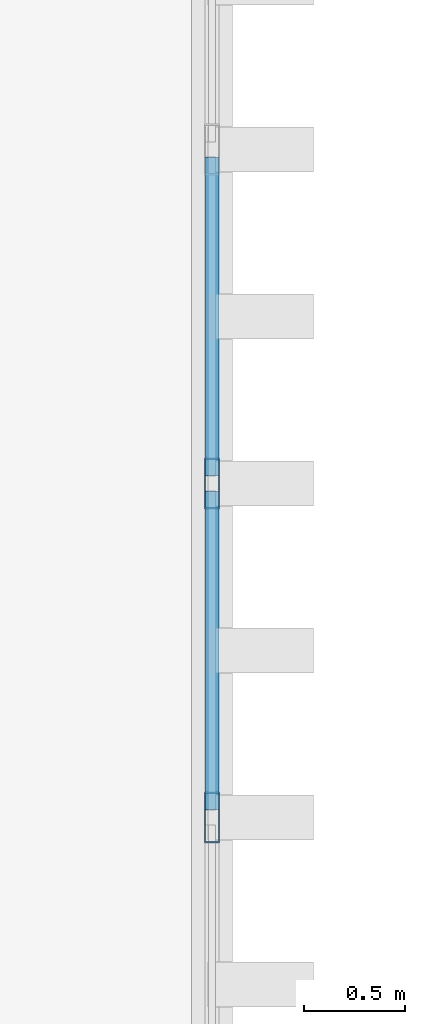
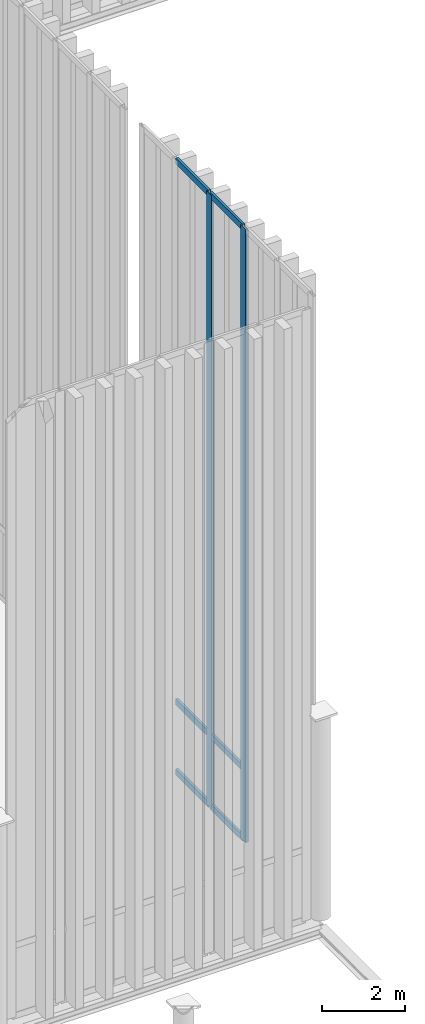
# One storey, part 49 of 237: 8 members, 1 element without a shape of its own.
"""IFC4 building model written with IfcOpenShell, lengths in metres."""

from ifc_helpers import new_model, si_unit, direction, frame, origin, origin_2d, place, context, subcontext, project, spatial, hollow_rectangle, extrude, material, layer, layer_set, material_profile, profile_set, type_object, element, aggregate, save


model = new_model("IFC4")

# Units and contexts
model_context = context("Model", 3, precision=1e-05, world=origin(), true_north=direction((0.0, 1.0)))
body_context = subcontext(model_context, "Body", "Model", "MODEL_VIEW")
ifc_project = project(units=[si_unit("LENGTHUNIT", "METRE"), si_unit("AREAUNIT", "SQUARE_METRE"), si_unit("VOLUMEUNIT", "CUBIC_METRE"), si_unit("PLANEANGLEUNIT", "RADIAN"), si_unit("MASSUNIT", "GRAM", prefix="KILO")], contexts=[model_context])

# Site, building, storey
site_placement = place(None, origin())
site = spatial("IfcSite", under=ifc_project, at=site_placement, CompositionType="ELEMENT")
building_placement = place(site_placement, origin())
building = spatial("IfcBuilding", under=site, at=building_placement, Name="Barlavento Convention Centre", CompositionType="ELEMENT")
storey_placement = place(building_placement, frame((0.0, 0.0, 12.0)))
storey = spatial("IfcBuildingStorey", under=building, at=storey_placement, Name="L02", CompositionType="ELEMENT", Elevation=12.0)

# Curtain wall, members
ifc_material_1 = material(Name="Powder-coated aluminium and Low-E glass", Category="aluminium")
ifc_layer = layer(ifc_material_1, 0.18994140625)
ifc_layer_set = layer_set([ifc_layer], Name="ARC-CW-CONG-L02")
curtain_wall_type = type_object("IfcCurtainWallType", Name="ARC-CW-CONG-L02", PredefinedType="NOTDEFINED", material=ifc_layer_set)
curtain_wall_placement = place(storey_placement, origin())
curtain_wall = element("IfcCurtainWall", 1, at=curtain_wall_placement, inside=storey, type_object=curtain_wall_type, Name="L02 unitised curtain wall CW02", PredefinedType="NOTDEFINED")
ifc_material_2 = material(Name="Powder-coated aluminium", Category="aluminium")
ifc_material_profile_1 = material_profile(ifc_material_2, hollow_rectangle(XDim=0.074951171875, YDim=0.25, WallThickness=0.006103515625, at=origin_2d()), Name="AL-MULL 75x250x6")
ifc_profile_set_1 = profile_set([ifc_material_profile_1], Name="Powder-coated aluminium")
member_type_1 = type_object("IfcMemberType", Name="ARC-CWM-75X250", PredefinedType="MULLION", material=ifc_profile_set_1)
member_1_placement = place(storey_placement, frame((63.0, 12.6494140625, 0.0), z_axis=(0.0, 0.0, 1.0), x_axis=(-1.0, 0.0, 0.0)))
member_1 = element("IfcMember", 2, at=member_1_placement, type_object=member_type_1, Name="CW02 mullion 3", PredefinedType="MULLION", context=body_context, shape_type="SweptSolid", body=[
    extrude(hollow_rectangle(XDim=0.074951171875, YDim=0.25, WallThickness=0.006103515625, at=origin_2d()), origin(), (0.0, 0.0, 1.0), 18.037109375),
])
member_2_placement = place(storey_placement, frame((63.0, 14.294677734375, 0.0), z_axis=(0.0, 0.0, 1.0), x_axis=(-1.0, 0.0, 0.0)))
member_2 = element("IfcMember", 3, at=member_2_placement, type_object=member_type_1, Name="CW02 mullion 4", PredefinedType="MULLION", context=body_context, shape_type="SweptSolid", body=[
    extrude(hollow_rectangle(XDim=0.074951171875, YDim=0.25, WallThickness=0.006103515625, at=origin_2d()), origin(), (0.0, 0.0, 1.0), 18.037109375),
])
ifc_material_profile_2 = material_profile(ifc_material_2, hollow_rectangle(XDim=0.070068359375, YDim=0.179931640625, WallThickness=0.0048828125, at=origin_2d()), Name="AL-TRAN 70x180x5")
ifc_profile_set_2 = profile_set([ifc_material_profile_2], Name="Powder-coated aluminium")
member_type_2 = type_object("IfcMemberType", Name="ARC-CWT-70X180", PredefinedType="USERDEFINED", material=ifc_profile_set_2)
member_3_placement = place(storey_placement, frame((63.0, 12.68701171875, 0.034912109375), z_axis=(0.0, 1.0, 0.0), x_axis=(-1.0, 0.0, 0.0)))
member_3 = element("IfcMember", 4, at=member_3_placement, type_object=member_type_2, Name="CW02 transom 3.1", ObjectType="TRANSOM", PredefinedType="USERDEFINED", context=body_context, shape_type="SweptSolid", body=[
    extrude(hollow_rectangle(XDim=0.070068359375, YDim=0.179931640625, WallThickness=0.0048828125, at=origin_2d()), origin(), (0.0, 0.0, 1.0), 1.570068359375),
])
member_4_placement = place(storey_placement, frame((63.0, 12.68701171875, 2.10009765625), z_axis=(0.0, 1.0, 0.0), x_axis=(-1.0, 0.0, 0.0)))
member_4 = element("IfcMember", 5, at=member_4_placement, type_object=member_type_2, Name="CW02 transom 3.2", ObjectType="TRANSOM", PredefinedType="USERDEFINED", context=body_context, shape_type="SweptSolid", body=[
    extrude(hollow_rectangle(XDim=0.070068359375, YDim=0.179931640625, WallThickness=0.0048828125, at=origin_2d()), origin(), (0.0, 0.0, 1.0), 1.570068359375),
])
member_5_placement = place(storey_placement, frame((63.0, 12.68701171875, 18.001953125), z_axis=(0.0, 1.0, 0.0), x_axis=(-1.0, 0.0, 0.0)))
member_5 = element("IfcMember", 6, at=member_5_placement, type_object=member_type_2, Name="CW02 transom 3.3", ObjectType="TRANSOM", PredefinedType="USERDEFINED", context=body_context, shape_type="SweptSolid", body=[
    extrude(hollow_rectangle(XDim=0.070068359375, YDim=0.179931640625, WallThickness=0.0048828125, at=origin_2d()), origin(), (0.0, 0.0, 1.0), 1.570068359375),
])
member_6_placement = place(storey_placement, frame((63.0, 14.33203125, 0.034912109375), z_axis=(0.0, 1.0, 0.0), x_axis=(-1.0, 0.0, 0.0)))
member_6 = element("IfcMember", 7, at=member_6_placement, type_object=member_type_2, Name="CW02 transom 4.1", ObjectType="TRANSOM", PredefinedType="USERDEFINED", context=body_context, shape_type="SweptSolid", body=[
    extrude(hollow_rectangle(XDim=0.070068359375, YDim=0.179931640625, WallThickness=0.0048828125, at=origin_2d()), origin(), (0.0, 0.0, 1.0), 1.5703125),
])
member_7_placement = place(storey_placement, frame((63.0, 14.33203125, 2.10009765625), z_axis=(0.0, 1.0, 0.0), x_axis=(-1.0, 0.0, 0.0)))
member_7 = element("IfcMember", 8, at=member_7_placement, type_object=member_type_2, Name="CW02 transom 4.2", ObjectType="TRANSOM", PredefinedType="USERDEFINED", context=body_context, shape_type="SweptSolid", body=[
    extrude(hollow_rectangle(XDim=0.070068359375, YDim=0.179931640625, WallThickness=0.0048828125, at=origin_2d()), origin(), (0.0, 0.0, 1.0), 1.5703125),
])
member_8_placement = place(storey_placement, frame((63.0, 14.33203125, 18.001953125), z_axis=(0.0, 1.0, 0.0), x_axis=(-1.0, 0.0, 0.0)))
member_8 = element("IfcMember", 9, at=member_8_placement, type_object=member_type_2, Name="CW02 transom 4.3", ObjectType="TRANSOM", PredefinedType="USERDEFINED", context=body_context, shape_type="SweptSolid", body=[
    extrude(hollow_rectangle(XDim=0.070068359375, YDim=0.179931640625, WallThickness=0.0048828125, at=origin_2d()), origin(), (0.0, 0.0, 1.0), 1.5703125),
])
aggregate(curtain_wall, [member_1, member_2, member_3, member_4, member_5, member_6, member_7, member_8])

save(model, "model.ifc")
